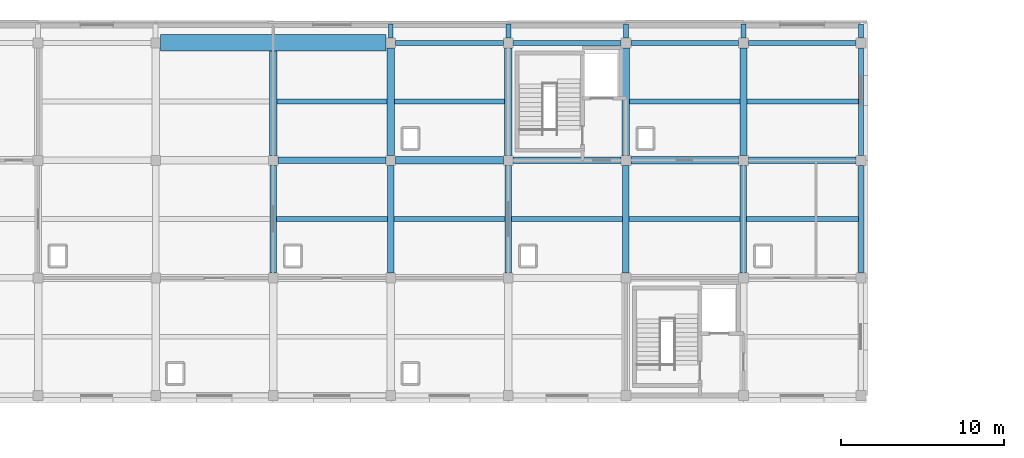
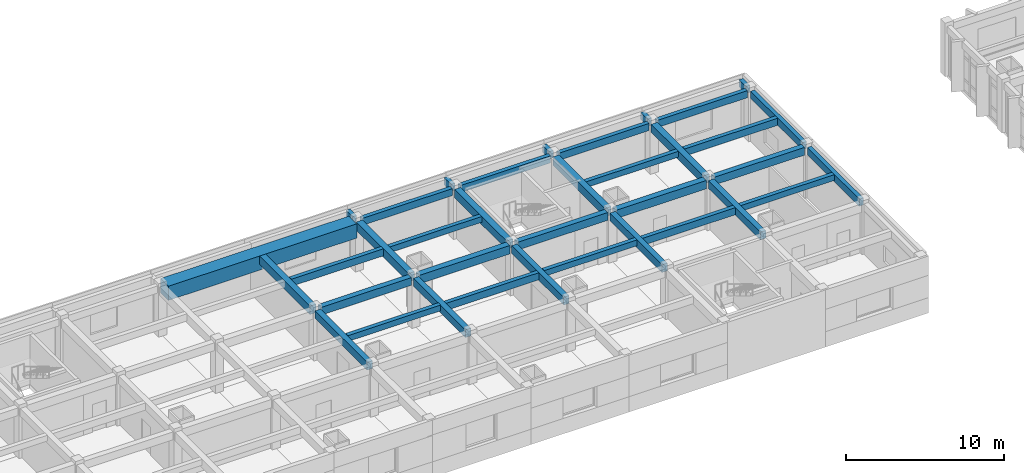
# One storey, part 19 of 62: 36 beams.
"""IFC4 building model written with IfcOpenShell, lengths in metres."""

from ifc_helpers import new_model, si_unit, direction, frame, origin, origin_2d, place, context, subcontext, project, spatial, rectangle, extrude, material, material_profile, profile_set, type_object, element, save


model = new_model("IFC4")

# Units and contexts
model_context = context("Model", 3, precision=1e-05, world=origin(), true_north=direction((0.0, 1.0)))
body_context = subcontext(model_context, "Body", "Model", "MODEL_VIEW")
ifc_project = project(units=[si_unit("LENGTHUNIT", "METRE"), si_unit("AREAUNIT", "SQUARE_METRE"), si_unit("VOLUMEUNIT", "CUBIC_METRE"), si_unit("PLANEANGLEUNIT", "RADIAN"), si_unit("MASSUNIT", "GRAM", prefix="KILO")], contexts=[model_context])

# Site, building, storey
site_placement = place(None, origin())
site = spatial("IfcSite", under=ifc_project, at=site_placement, CompositionType="ELEMENT")
building_placement = place(site_placement, origin())
building = spatial("IfcBuilding", under=site, at=building_placement, Name="Kavelor Marine Aquarium", CompositionType="ELEMENT")
storey_placement = place(building_placement, frame((0.0, 0.0, 13.5)))
storey = spatial("IfcBuildingStorey", under=building, at=storey_placement, Name="L03", CompositionType="ELEMENT", Elevation=13.5)

# Beams
ifc_material_1 = material(Name="Concrete C40/50", Category="concrete")
ifc_material_profile_1 = material_profile(ifc_material_1, rectangle(XDim=0.449951171875, YDim=0.64990234375, at=origin_2d()), Name="RC-BM 450x650")
ifc_profile_set_1 = profile_set([ifc_material_profile_1], Name="Concrete C40/50")
beam_type_1 = type_object("IfcBeamType", Name="BM-B3", PredefinedType="BEAM", material=ifc_profile_set_1)
for number, where, z_axis, x_axis, name in (
    (1, (75.5, 103.60009765625, 3.534912109375), (1.0, 0.0, 0.0), (0.0, 1.0, 0.0), "bm:x:L03:L04:10_14"),
    (2, (89.89990234375, 103.60009765625, 3.534912109375), (1.0, 0.0, 0.0), (0.0, 1.0, 0.0), "bm:x:L03:L04:12_14"),
):
    element("IfcBeam", number, at=place(storey_placement, frame(where, z_axis=z_axis, x_axis=x_axis)), inside=storey, type_object=beam_type_1, Name=name, PredefinedType="BEAM", context=body_context, shape_type="SweptSolid", body=[
        extrude(rectangle(XDim=0.449951171875, YDim=0.64990234375, at=origin_2d()), origin(), (0.0, 0.0, 1.0), 6.60009765625),
    ])
beam_1_placement = place(storey_placement, frame((68.0, 103.89990234375, 3.534912109375), z_axis=(0.0, 1.0, 0.0), x_axis=(-1.0, 0.0, 0.0)))
element("IfcBeam", 3, at=beam_1_placement, inside=storey, type_object=beam_type_1, Name="bm:y:L03:L04:09_14", PredefinedType="BEAM", context=body_context, shape_type="SweptSolid", body=[
    extrude(rectangle(XDim=0.449951171875, YDim=0.64990234375, at=origin_2d()), origin(), (0.0, 0.0, 1.0), 6.400146484375),
])
for number, where, z_axis, x_axis, name in (
    (4, (75.199951171875, 103.89990234375, 3.534912109375), (0.0, 1.0, 0.0), (-1.0, 0.0, 0.0), "bm:y:L03:L04:10_14"),
    (5, (82.39990234375, 103.89990234375, 3.534912109375), (0.0, 1.0, 0.0), (-1.0, 0.0, 0.0), "bm:y:L03:L04:11_14"),
    (6, (89.60009765625, 103.89990234375, 3.534912109375), (0.0, 1.0, 0.0), (-1.0, 0.0, 0.0), "bm:y:L03:L04:12_14"),
    (7, (96.800048828125, 103.89990234375, 3.534912109375), (0.0, 1.0, 0.0), (-1.0, 0.0, 0.0), "bm:y:L03:L04:13_14"),
):
    element("IfcBeam", number, at=place(storey_placement, frame(where, z_axis=z_axis, x_axis=x_axis)), inside=storey, type_object=beam_type_1, Name=name, PredefinedType="BEAM", context=body_context, shape_type="SweptSolid", body=[
        extrude(rectangle(XDim=0.449951171875, YDim=0.64990234375, at=origin_2d()), origin(), (0.0, 0.0, 1.0), 6.60009765625),
    ])
ifc_material_2 = material(Name="Concrete C40/50", Category="concrete")
ifc_material_profile_2 = material_profile(ifc_material_2, rectangle(XDim=0.39990234375, YDim=0.60009765625, at=origin_2d()), Name="RC-BM 400x600")
ifc_profile_set_2 = profile_set([ifc_material_profile_2], Name="Concrete C40/50")
beam_type_2 = type_object("IfcBeamType", Name="BM-B4", PredefinedType="BEAM", material=ifc_profile_set_2)
beam_2_placement = place(storey_placement, frame((68.300048828125, 103.60009765625, 3.580078125), z_axis=(1.0, 0.0, 0.0), x_axis=(0.0, 1.0, 0.0)))
element("IfcBeam", 8, at=beam_2_placement, inside=storey, type_object=beam_type_2, Name="bm:x:L03:L04:09_14", PredefinedType="BEAM", context=body_context, shape_type="SweptSolid", body=[
    extrude(rectangle(XDim=0.39990234375, YDim=0.60009765625, at=origin_2d()), origin(), (0.0, 0.0, 1.0), 6.599853515625),
])
beam_3_placement = place(storey_placement, frame((82.699951171875, 103.60009765625, 3.580078125), z_axis=(1.0, 0.0, 0.0), x_axis=(0.0, 1.0, 0.0)))
element("IfcBeam", 9, at=beam_3_placement, inside=storey, type_object=beam_type_2, Name="bm:x:L03:L04:11_14", PredefinedType="BEAM", context=body_context, shape_type="SweptSolid", body=[
    extrude(rectangle(XDim=0.39990234375, YDim=0.60009765625, at=origin_2d()), origin(), (0.0, 0.0, 1.0), 6.60009765625),
])
beam_4_placement = place(storey_placement, frame((97.10009765625, 103.60009765625, 3.580078125), z_axis=(1.0, 0.0, 0.0), x_axis=(0.0, 1.0, 0.0)))
element("IfcBeam", 10, at=beam_4_placement, inside=storey, type_object=beam_type_2, Name="bm:x:L03:L04:13_14", PredefinedType="BEAM", context=body_context, shape_type="SweptSolid", body=[
    extrude(rectangle(XDim=0.39990234375, YDim=0.60009765625, at=origin_2d()), origin(), (0.0, 0.0, 1.0), 6.599853515625),
])
for number, where, z_axis, x_axis, name in (
    (11, (68.0, 96.699951171875, 3.56005859375), (0.0, 1.0, 0.0), (-1.0, 0.0, 0.0), "bm:y:L03:L04:09_13"),
    (12, (75.199951171875, 96.699951171875, 3.56005859375), (0.0, 1.0, 0.0), (-1.0, 0.0, 0.0), "bm:y:L03:L04:10_13"),
    (13, (82.39990234375, 96.699951171875, 3.56005859375), (0.0, 1.0, 0.0), (-1.0, 0.0, 0.0), "bm:y:L03:L04:11_13"),
    (14, (89.60009765625, 96.699951171875, 3.56005859375), (0.0, 1.0, 0.0), (-1.0, 0.0, 0.0), "bm:y:L03:L04:12_13"),
    (15, (96.800048828125, 96.699951171875, 3.56005859375), (0.0, 1.0, 0.0), (-1.0, 0.0, 0.0), "bm:y:L03:L04:13_13"),
):
    element("IfcBeam", number, at=place(storey_placement, frame(where, z_axis=z_axis, x_axis=x_axis)), inside=storey, type_object=beam_type_2, Name=name, PredefinedType="BEAM", context=body_context, shape_type="SweptSolid", body=[
        extrude(rectangle(XDim=0.39990234375, YDim=0.60009765625, at=origin_2d()), origin(), (0.0, 0.0, 1.0), 6.60009765625),
    ])
ifc_material_3 = material(Name="Concrete C40/50", Category="concrete")
ifc_material_profile_3 = material_profile(ifc_material_3, rectangle(XDim=0.300048828125, YDim=0.449951171875, at=origin_2d()), Name="RC-JS 300x450")
ifc_profile_set_3 = profile_set([ifc_material_profile_3], Name="Concrete C40/50")
beam_type_3 = type_object("IfcBeamType", Name="BM-JS1", PredefinedType="JOIST", material=ifc_profile_set_3)
beam_5_placement = place(storey_placement, frame((68.199951171875, 100.0, 3.655029296875), z_axis=(1.0, 0.0, 0.0), x_axis=(0.0, 1.0, 0.0)))
element("IfcBeam", 16, at=beam_5_placement, inside=storey, type_object=beam_type_3, Name="js:L03:L04:09_13", PredefinedType="JOIST", context=body_context, shape_type="SweptSolid", body=[
    extrude(rectangle(XDim=0.300048828125, YDim=0.449951171875, at=origin_2d()), origin(), (0.0, 0.0, 1.0), 6.800048828125),
])
beam_6_placement = place(storey_placement, frame((75.425048828125, 107.199951171875, 3.635009765625), z_axis=(1.0, 0.0, 0.0), x_axis=(0.0, 1.0, 0.0)))
element("IfcBeam", 17, at=beam_6_placement, inside=storey, type_object=beam_type_3, Name="js:L03:L04:10_14", PredefinedType="JOIST", context=body_context, shape_type="SweptSolid", body=[
    extrude(rectangle(XDim=0.300048828125, YDim=0.449951171875, at=origin_2d()), origin(), (0.0, 0.0, 1.0), 6.75),
])
beam_7_placement = place(storey_placement, frame((82.60009765625, 100.0, 3.655029296875), z_axis=(1.0, 0.0, 0.0), x_axis=(0.0, 1.0, 0.0)))
element("IfcBeam", 18, at=beam_7_placement, inside=storey, type_object=beam_type_3, Name="js:L03:L04:11_13", PredefinedType="JOIST", context=body_context, shape_type="SweptSolid", body=[
    extrude(rectangle(XDim=0.300048828125, YDim=0.449951171875, at=origin_2d()), origin(), (0.0, 0.0, 1.0), 6.7998046875),
])
beam_8_placement = place(storey_placement, frame((89.824951171875, 107.199951171875, 3.635009765625), z_axis=(1.0, 0.0, 0.0), x_axis=(0.0, 1.0, 0.0)))
element("IfcBeam", 19, at=beam_8_placement, inside=storey, type_object=beam_type_3, Name="js:L03:L04:12_14", PredefinedType="JOIST", context=body_context, shape_type="SweptSolid", body=[
    extrude(rectangle(XDim=0.300048828125, YDim=0.449951171875, at=origin_2d()), origin(), (0.0, 0.0, 1.0), 6.75),
])
beam_9_placement = place(storey_placement, frame((97.0, 100.0, 3.655029296875), z_axis=(1.0, 0.0, 0.0), x_axis=(0.0, 1.0, 0.0)))
element("IfcBeam", 20, at=beam_9_placement, inside=storey, type_object=beam_type_3, Name="js:L03:L04:13_13", PredefinedType="JOIST", context=body_context, shape_type="SweptSolid", body=[
    extrude(rectangle(XDim=0.300048828125, YDim=0.449951171875, at=origin_2d()), origin(), (0.0, 0.0, 1.0), 6.85009765625),
])
ifc_material_4 = material(Name="Concrete C40/50", Category="concrete")
ifc_material_profile_4 = material_profile(ifc_material_4, rectangle(XDim=0.300048828125, YDim=0.550048828125, at=origin_2d()), Name="RC-JS 300x550")
ifc_profile_set_4 = profile_set([ifc_material_profile_4], Name="Concrete C40/50")
beam_type_4 = type_object("IfcBeamType", Name="BM-JS2", PredefinedType="JOIST", material=ifc_profile_set_4)
beam_10_placement = place(storey_placement, frame((68.22509765625, 107.199951171875, 3.60498046875), z_axis=(1.0, 0.0, 0.0), x_axis=(0.0, 1.0, 0.0)))
element("IfcBeam", 21, at=beam_10_placement, inside=storey, type_object=beam_type_4, Name="js:L03:L04:09_14", PredefinedType="JOIST", context=body_context, shape_type="SweptSolid", body=[
    extrude(rectangle(XDim=0.300048828125, YDim=0.550048828125, at=origin_2d()), origin(), (0.0, 0.0, 1.0), 6.75),
])
for number, where, z_axis, x_axis, name in (
    (22, (75.39990234375, 100.0, 3.5849609375), (1.0, 0.0, 0.0), (0.0, 1.0, 0.0), "js:L03:L04:10_13"),
    (23, (89.800048828125, 100.0, 3.5849609375), (1.0, 0.0, 0.0), (0.0, 1.0, 0.0), "js:L03:L04:12_13"),
):
    element("IfcBeam", number, at=place(storey_placement, frame(where, z_axis=z_axis, x_axis=x_axis)), inside=storey, type_object=beam_type_4, Name=name, PredefinedType="JOIST", context=body_context, shape_type="SweptSolid", body=[
        extrude(rectangle(XDim=0.300048828125, YDim=0.550048828125, at=origin_2d()), origin(), (0.0, 0.0, 1.0), 6.800048828125),
    ])
beam_11_placement = place(storey_placement, frame((97.02490234375, 107.199951171875, 3.60498046875), z_axis=(1.0, 0.0, 0.0), x_axis=(0.0, 1.0, 0.0)))
element("IfcBeam", 24, at=beam_11_placement, inside=storey, type_object=beam_type_4, Name="js:L03:L04:13_14", PredefinedType="JOIST", context=body_context, shape_type="SweptSolid", body=[
    extrude(rectangle(XDim=0.300048828125, YDim=0.550048828125, at=origin_2d()), origin(), (0.0, 0.0, 1.0), 6.8251953125),
])
ifc_material_5 = material(Name="Concrete C40/50", Category="concrete")
ifc_material_profile_5 = material_profile(ifc_material_5, rectangle(XDim=0.300048828125, YDim=0.550048828125, at=origin_2d()), Name="RC-SP 300x550")
ifc_profile_set_5 = profile_set([ifc_material_profile_5], Name="Concrete C40/50")
beam_type_5 = type_object("IfcBeamType", Name="BM-SP2", PredefinedType="SPANDREL", material=ifc_profile_set_5)
for number, where, z_axis, x_axis, name in (
    (25, (75.5, 110.800048828125, 3.5849609375), (1.0, 0.0, 0.0), (0.0, 1.0, 0.0), "bm:x:L03:L04:10_15"),
    (26, (82.699951171875, 110.800048828125, 3.60498046875), (1.0, 0.0, 0.0), (0.0, 1.0, 0.0), "bm:x:L03:L04:11_15"),
    (27, (89.89990234375, 110.800048828125, 3.5849609375), (1.0, 0.0, 0.0), (0.0, 1.0, 0.0), "bm:x:L03:L04:12_15"),
):
    element("IfcBeam", number, at=place(storey_placement, frame(where, z_axis=z_axis, x_axis=x_axis)), inside=storey, type_object=beam_type_5, Name=name, PredefinedType="SPANDREL", context=body_context, shape_type="SweptSolid", body=[
        extrude(rectangle(XDim=0.300048828125, YDim=0.550048828125, at=origin_2d()), origin(), (0.0, 0.0, 1.0), 6.60009765625),
    ])
beam_12_placement = place(storey_placement, frame((97.10009765625, 110.800048828125, 3.60498046875), z_axis=(1.0, 0.0, 0.0), x_axis=(0.0, 1.0, 0.0)))
element("IfcBeam", 28, at=beam_12_placement, inside=storey, type_object=beam_type_5, Name="bm:x:L03:L04:13_15", PredefinedType="SPANDREL", context=body_context, shape_type="SweptSolid", body=[
    extrude(rectangle(XDim=0.300048828125, YDim=0.550048828125, at=origin_2d()), origin(), (0.0, 0.0, 1.0), 6.599853515625),
])
for number, where, z_axis, x_axis, name in (
    (29, (104.0, 96.699951171875, 3.60498046875), (0.0, 1.0, 0.0), (-1.0, 0.0, 0.0), "bm:y:L03:L04:14_13"),
    (30, (104.0, 103.89990234375, 3.60498046875), (0.0, 1.0, 0.0), (-1.0, 0.0, 0.0), "bm:y:L03:L04:14_14"),
):
    element("IfcBeam", number, at=place(storey_placement, frame(where, z_axis=z_axis, x_axis=x_axis)), inside=storey, type_object=beam_type_5, Name=name, PredefinedType="SPANDREL", context=body_context, shape_type="SweptSolid", body=[
        extrude(rectangle(XDim=0.300048828125, YDim=0.550048828125, at=origin_2d()), origin(), (0.0, 0.0, 1.0), 6.60009765625),
    ])
for number, where, z_axis, x_axis, name in (
    (31, (75.199951171875, 111.10009765625, 3.5849609375), (0.0, 1.0, 0.0), (-1.0, 0.0, 0.0), "bm:out:n:L03:L04:10"),
    (32, (82.39990234375, 111.10009765625, 3.5849609375), (0.0, 1.0, 0.0), (-1.0, 0.0, 0.0), "bm:out:n:L03:L04:11"),
    (33, (89.60009765625, 111.10009765625, 3.5849609375), (0.0, 1.0, 0.0), (-1.0, 0.0, 0.0), "bm:out:n:L03:L04:12"),
    (34, (96.800048828125, 111.10009765625, 3.5849609375), (0.0, 1.0, 0.0), (-1.0, 0.0, 0.0), "bm:out:n:L03:L04:13"),
    (35, (104.0, 111.10009765625, 3.60498046875), (0.0, 1.0, 0.0), (-1.0, 0.0, 0.0), "bm:out:n:L03:L04:14"),
):
    element("IfcBeam", number, at=place(storey_placement, frame(where, z_axis=z_axis, x_axis=x_axis)), inside=storey, type_object=beam_type_5, Name=name, PredefinedType="SPANDREL", context=body_context, shape_type="SweptSolid", body=[
        extrude(rectangle(XDim=0.300048828125, YDim=0.550048828125, at=origin_2d()), origin(), (0.0, 0.0, 1.0), 0.85986328125),
    ])
ifc_material_6 = material(Name="Concrete C45/55", Category="concrete")
ifc_material_profile_6 = material_profile(ifc_material_6, rectangle(XDim=1.0, YDim=1.10009765625, at=origin_2d()), Name="RC-TG 1000x1100")
ifc_profile_set_6 = profile_set([ifc_material_profile_6], Name="Concrete C45/55")
beam_type_6 = type_object("IfcBeamType", Name="BM-TG1", PredefinedType="BEAM", material=ifc_profile_set_6)
beam_13_placement = place(storey_placement, frame((61.10009765625, 110.800048828125, 3.31005859375), z_axis=(1.0, 0.0, 0.0), x_axis=(0.0, 1.0, 0.0)))
element("IfcBeam", 36, at=beam_13_placement, inside=storey, type_object=beam_type_6, Name="bm:x:L03:L04:08_15_span", PredefinedType="BEAM", context=body_context, shape_type="SweptSolid", body=[
    extrude(rectangle(XDim=1.0, YDim=1.10009765625, at=origin_2d()), origin(), (0.0, 0.0, 1.0), 13.7998046875),
])

save(model, "model.ifc")
